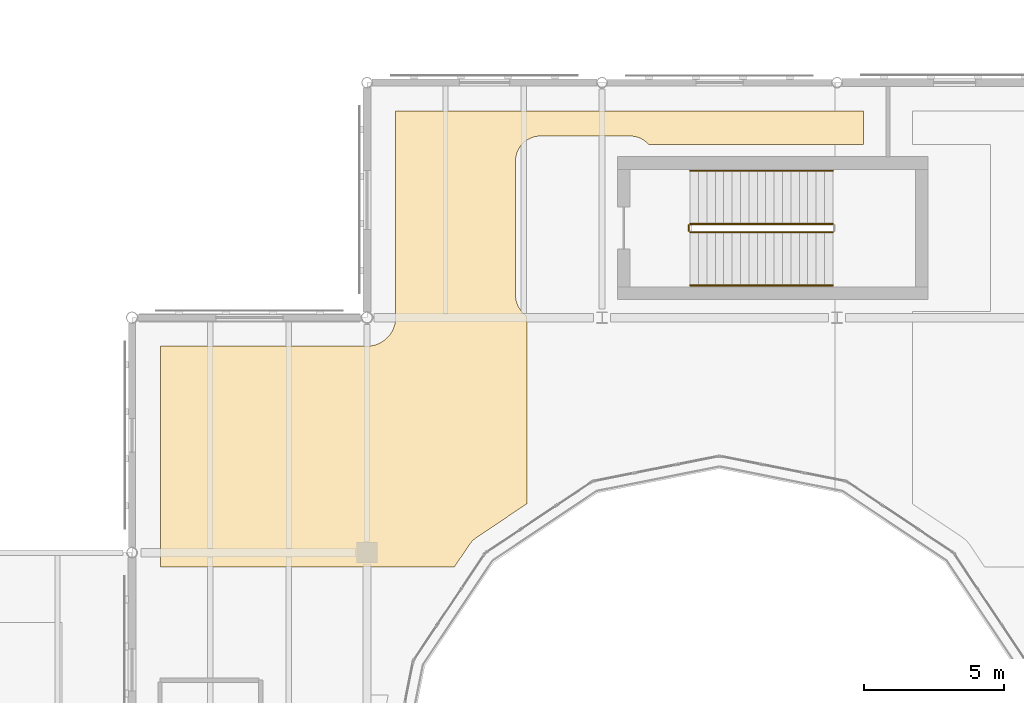
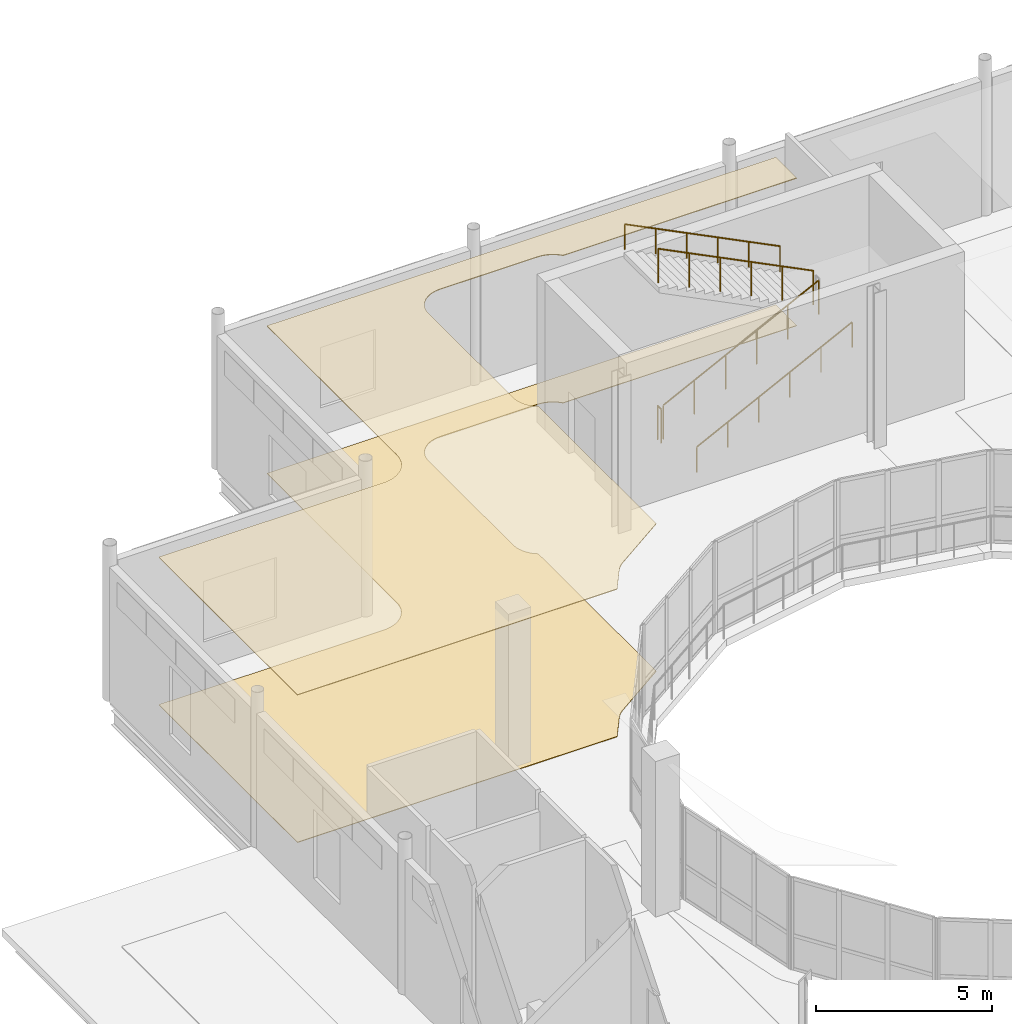
# One storey, part 96 of 110: 5 railings, 2 coverings.
"""IFC4 building model written with IfcOpenShell, lengths in metres."""

from ifc_helpers import new_model, si_unit, direction, frame, origin, origin_2d, place, context, subcontext, project, spatial, polyline, circle, outline, extrude, material, layer, layer_set, type_object, element, save


model = new_model("IFC4")

# Units and contexts
model_context = context("Model", 3, precision=1e-05, world=origin(), true_north=direction((0.0, 1.0)))
body_context = subcontext(model_context, "Body", "Model", "MODEL_VIEW")
ifc_project = project(units=[si_unit("LENGTHUNIT", "METRE"), si_unit("AREAUNIT", "SQUARE_METRE"), si_unit("VOLUMEUNIT", "CUBIC_METRE"), si_unit("PLANEANGLEUNIT", "RADIAN"), si_unit("MASSUNIT", "GRAM", prefix="KILO"), si_unit("THERMODYNAMICTEMPERATUREUNIT", "KELVIN")], contexts=[model_context])

# Site, building, storey
site_placement = place(None, origin())
site = spatial("IfcSite", under=ifc_project, at=site_placement, CompositionType="ELEMENT")
building_placement = place(site_placement, origin())
building = spatial("IfcBuilding", under=site, at=building_placement, Name="Lustrewick Department Store", CompositionType="ELEMENT")
storey_placement = place(building_placement, frame((0.0, 0.0, 6.0)))
storey = spatial("IfcBuildingStorey", under=building, at=storey_placement, Name="L02", CompositionType="ELEMENT", Elevation=6.0)

# Coverings
ifc_material_1 = material(Name="Perforated mineral-fibre acoustic ceiling board", Category="gypsum")
ifc_layer_1 = layer(ifc_material_1, 0.02490234375, Name="Perforated mineral-fibre acoustic ceiling board")
ifc_layer_set_1 = layer_set([ifc_layer_1], Name="Perforated mineral-fibre acoustic ceiling board")
covering_type_1 = type_object("IfcCoveringType", Name="COV-CEIL", PredefinedType="CEILING", material=ifc_layer_set_1)
covering_1_placement = place(storey_placement, frame((0.0, 0.0, 5.1201171875)))
element("IfcCovering", 1, at=covering_1_placement, inside=storey, type_object=covering_type_1, Name="L02 Womenswear Fashion Boutique Acoustic Ceiling", PredefinedType="CEILING", context=body_context, shape_type="SweptSolid", body=[
    extrude(outline(polyline([(9.419921875, 75.090087890625), (19.92578125, 75.090087890625), (20.44140625, 75.86181640625), (20.46484375, 75.89501953125), (20.478515625, 75.9130859375), (20.5322265625, 75.978759765625), (20.548095703125, 75.99609375), (20.603759765625, 76.052001953125), (20.62109375, 76.067626953125), (20.686767578125, 76.12158203125), (20.705078125, 76.135009765625), (20.73828125, 76.158447265625), (22.510009765625, 77.34228515625), (22.510009765625, 84.05712890625), (22.504150390625, 84.060791015625), (22.446044921875, 84.103515625), (22.44140625, 84.107177734375), (22.37060546875, 84.170654296875), (22.30712890625, 84.241455078125), (22.303466796875, 84.24609375), (22.260986328125, 84.30419921875), (22.223388671875, 84.365478515625), (22.22119140625, 84.369384765625), (22.187744140625, 84.436279296875), (22.185302734375, 84.44140625), (22.154541015625, 84.521484375), (22.1318359375, 84.604248046875), (22.131103515625, 84.607421875), (22.12744140625, 84.625), (22.126708984375, 84.62841796875), (22.1142578125, 84.71240234375), (22.110107421875, 84.797119140625), (22.110107421875, 89.60302734375), (22.1142578125, 89.687744140625), (22.126708984375, 89.771484375), (22.12744140625, 89.77490234375), (22.131103515625, 89.79248046875), (22.1318359375, 89.795654296875), (22.154541015625, 89.87841796875), (22.185302734375, 89.95849609375), (22.1865234375, 89.961181640625), (22.187744140625, 89.963623046875), (22.22119140625, 90.030517578125), (22.223388671875, 90.034423828125), (22.260986328125, 90.095947265625), (22.303466796875, 90.154052734375), (22.30712890625, 90.15869140625), (22.37060546875, 90.2294921875), (22.44140625, 90.29296875), (22.446044921875, 90.29638671875), (22.504150390625, 90.339111328125), (22.565673828125, 90.376708984375), (22.569580078125, 90.37890625), (22.63623046875, 90.412109375), (22.6416015625, 90.41455078125), (22.721435546875, 90.445556640625), (22.80419921875, 90.46826171875), (22.8076171875, 90.468994140625), (22.824951171875, 90.47265625), (22.828369140625, 90.473388671875), (22.912353515625, 90.48583984375), (22.9970703125, 90.489990234375), (26.202880859375, 90.489990234375), (26.28759765625, 90.48583984375), (26.37158203125, 90.473388671875), (26.375, 90.47265625), (26.392578125, 90.468994140625), (26.395751953125, 90.46826171875), (26.478515625, 90.445556640625), (26.55859375, 90.41455078125), (26.561279296875, 90.413330078125), (26.563720703125, 90.412109375), (26.630615234375, 90.37890625), (26.634521484375, 90.376708984375), (26.69580078125, 90.339111328125), (26.75390625, 90.29638671875), (26.758544921875, 90.29296875), (26.829345703125, 90.2294921875), (26.86474609375, 90.18994140625), (34.543212890625, 90.18994140625), (34.543212890625, 91.3798828125), (17.820068359375, 91.3798828125), (17.820068359375, 83.9990234375), (17.81884765625, 83.9560546875), (17.818115234375, 83.939453125), (17.810302734375, 83.860107421875), (17.8076171875, 83.8427734375), (17.7919921875, 83.7626953125), (17.78759765625, 83.74560546875), (17.76220703125, 83.662109375), (17.75634765625, 83.6455078125), (17.727294921875, 83.5751953125), (17.7197265625, 83.559326171875), (17.6787109375, 83.482177734375), (17.66943359375, 83.466796875), (17.623046875, 83.397705078125), (17.612548828125, 83.3837890625), (17.56298828125, 83.3232421875), (17.551025390625, 83.31005859375), (17.489990234375, 83.248779296875), (17.476806640625, 83.237060546875), (17.416259765625, 83.1875), (17.402099609375, 83.177001953125), (17.333251953125, 83.130615234375), (17.31787109375, 83.121337890625), (17.24072265625, 83.080322265625), (17.224853515625, 83.07275390625), (17.154541015625, 83.043701171875), (17.1376953125, 83.03759765625), (17.054443359375, 83.012451171875), (17.037353515625, 83.008056640625), (16.957275390625, 82.9921875), (16.93994140625, 82.98974609375), (16.860595703125, 82.98193359375), (16.843994140625, 82.981201171875), (16.801025390625, 82.97998046875), (9.419921875, 82.97998046875), (9.419921875, 75.090087890625)])), origin(), (0.0, 0.0, 1.0), 0.02490234375),
])
ifc_material_2 = material(Name="Polished terrazzo and porcelain floor finish", Category="masonry")
ifc_layer_2 = layer(ifc_material_2, 0.02001953125, Name="Polished terrazzo and porcelain floor finish")
ifc_layer_set_2 = layer_set([ifc_layer_2], Name="Polished terrazzo and porcelain floor finish")
covering_type_2 = type_object("IfcCoveringType", Name="COV-FLR", PredefinedType="FLOORING", material=ifc_layer_set_2)
covering_2_placement = place(storey_placement, origin())
element("IfcCovering", 2, at=covering_2_placement, inside=storey, type_object=covering_type_2, Name="L02 Womenswear Fashion Boutique Terrazzo Flooring", PredefinedType="FLOORING", context=body_context, shape_type="SweptSolid", body=[
    extrude(outline(polyline([(9.419921875, 75.090087890625), (19.92578125, 75.090087890625), (20.44140625, 75.86181640625), (20.46484375, 75.89501953125), (20.478515625, 75.9130859375), (20.5322265625, 75.978759765625), (20.548095703125, 75.99609375), (20.603759765625, 76.052001953125), (20.62109375, 76.067626953125), (20.686767578125, 76.12158203125), (20.705078125, 76.135009765625), (20.73828125, 76.158447265625), (22.510009765625, 77.34228515625), (22.510009765625, 84.05712890625), (22.504150390625, 84.060791015625), (22.446044921875, 84.103515625), (22.44140625, 84.107177734375), (22.37060546875, 84.170654296875), (22.30712890625, 84.241455078125), (22.303466796875, 84.24609375), (22.260986328125, 84.30419921875), (22.223388671875, 84.365478515625), (22.22119140625, 84.369384765625), (22.187744140625, 84.436279296875), (22.185302734375, 84.44140625), (22.154541015625, 84.521484375), (22.1318359375, 84.604248046875), (22.131103515625, 84.607421875), (22.12744140625, 84.625), (22.126708984375, 84.62841796875), (22.1142578125, 84.71240234375), (22.110107421875, 84.797119140625), (22.110107421875, 89.60302734375), (22.1142578125, 89.687744140625), (22.126708984375, 89.771484375), (22.12744140625, 89.77490234375), (22.131103515625, 89.79248046875), (22.1318359375, 89.795654296875), (22.154541015625, 89.87841796875), (22.185302734375, 89.95849609375), (22.1865234375, 89.961181640625), (22.187744140625, 89.963623046875), (22.22119140625, 90.030517578125), (22.223388671875, 90.034423828125), (22.260986328125, 90.095947265625), (22.303466796875, 90.154052734375), (22.30712890625, 90.15869140625), (22.37060546875, 90.2294921875), (22.44140625, 90.29296875), (22.446044921875, 90.29638671875), (22.504150390625, 90.339111328125), (22.565673828125, 90.376708984375), (22.569580078125, 90.37890625), (22.63623046875, 90.412109375), (22.6416015625, 90.41455078125), (22.721435546875, 90.445556640625), (22.80419921875, 90.46826171875), (22.8076171875, 90.468994140625), (22.824951171875, 90.47265625), (22.828369140625, 90.473388671875), (22.912353515625, 90.48583984375), (22.9970703125, 90.489990234375), (26.202880859375, 90.489990234375), (26.28759765625, 90.48583984375), (26.37158203125, 90.473388671875), (26.375, 90.47265625), (26.392578125, 90.468994140625), (26.395751953125, 90.46826171875), (26.478515625, 90.445556640625), (26.55859375, 90.41455078125), (26.561279296875, 90.413330078125), (26.563720703125, 90.412109375), (26.630615234375, 90.37890625), (26.634521484375, 90.376708984375), (26.69580078125, 90.339111328125), (26.75390625, 90.29638671875), (26.758544921875, 90.29296875), (26.829345703125, 90.2294921875), (26.86474609375, 90.18994140625), (34.543212890625, 90.18994140625), (34.543212890625, 91.3798828125), (17.820068359375, 91.3798828125), (17.820068359375, 83.9990234375), (17.81884765625, 83.9560546875), (17.818115234375, 83.939453125), (17.810302734375, 83.860107421875), (17.8076171875, 83.8427734375), (17.7919921875, 83.7626953125), (17.78759765625, 83.74560546875), (17.76220703125, 83.662109375), (17.75634765625, 83.6455078125), (17.727294921875, 83.5751953125), (17.7197265625, 83.559326171875), (17.6787109375, 83.482177734375), (17.66943359375, 83.466796875), (17.623046875, 83.397705078125), (17.612548828125, 83.3837890625), (17.56298828125, 83.3232421875), (17.551025390625, 83.31005859375), (17.489990234375, 83.248779296875), (17.476806640625, 83.237060546875), (17.416259765625, 83.1875), (17.402099609375, 83.177001953125), (17.333251953125, 83.130615234375), (17.31787109375, 83.121337890625), (17.24072265625, 83.080322265625), (17.224853515625, 83.07275390625), (17.154541015625, 83.043701171875), (17.1376953125, 83.03759765625), (17.054443359375, 83.012451171875), (17.037353515625, 83.008056640625), (16.957275390625, 82.9921875), (16.93994140625, 82.98974609375), (16.860595703125, 82.98193359375), (16.843994140625, 82.981201171875), (16.801025390625, 82.97998046875), (9.419921875, 82.97998046875), (9.419921875, 75.090087890625)])), origin(), (0.0, 0.0, 1.0), 0.02001953125),
])

# Railings
ifc_material_3 = material(Name="Painted tubular steel stairwell guardrail", Category="steel")
railing_type_1 = type_object("IfcRailingType", Name="RL-STG", PredefinedType="GUARDRAIL", material=ifc_material_3)
railing_1_placement = place(storey_placement, frame((28.35009765625, 87.050048828125, 0.14990234375)))
element("IfcRailing", 3, at=railing_1_placement, inside=storey, type_object=railing_type_1, Name="L02 ST03 Stair Guard 1", PredefinedType="GUARDRAIL", context=body_context, shape_type="SweptSolid", body=[
    extrude(circle(Radius=0.02392578125, at=origin_2d()), frame((0.0, 0.0, 1.17578125), z_axis=(0.894418627299, 0.0, 0.447230722492), x_axis=(0.0, 1.0, 0.0)), (0.0, 0.0, 1.0), 5.701904296875),
    extrude(circle(Radius=0.02099609375, at=origin_2d()), origin(), (0.0, 0.0, 1.0), 1.15185546875),
    extrude(circle(Radius=0.02099609375, at=origin_2d()), frame((1.02001953125, 0.0, 0.510009765625)), (0.0, 0.0, 1.0), 1.15185546875),
    extrude(circle(Radius=0.02099609375, at=origin_2d()), frame((2.0400390625, 0.0, 1.02001953125)), (0.0, 0.0, 1.0), 1.15185546875),
    extrude(circle(Radius=0.02099609375, at=origin_2d()), frame((3.059814453125, 0.0, 1.530029296875)), (0.0, 0.0, 1.0), 1.15185546875),
    extrude(circle(Radius=0.02099609375, at=origin_2d()), frame((4.079833984375, 0.0, 2.0400390625)), (0.0, 0.0, 1.0), 1.15185546875),
    extrude(circle(Radius=0.02099609375, at=origin_2d()), frame((5.099853515625, 0.0, 2.550048828125)), (0.0, 0.0, 1.0), 1.15185546875),
])
railing_2_placement = place(storey_placement, frame((33.449951171875, 87.35009765625, 2.85009765625)))
element("IfcRailing", 4, at=railing_2_placement, inside=storey, type_object=railing_type_1, Name="L02 ST03 Stair Guard 3", PredefinedType="GUARDRAIL", context=body_context, shape_type="SweptSolid", body=[
    extrude(circle(Radius=0.02392578125, at=origin_2d()), frame((0.0, 0.0, 1.17578125), z_axis=(-0.894435754537, 0.0, 0.447196468016), x_axis=(0.0, -1.0, 0.0)), (0.0, 0.0, 1.0), 5.70166015625),
    extrude(circle(Radius=0.02099609375, at=origin_2d()), origin(), (0.0, 0.0, 1.0), 1.15185546875),
    extrude(circle(Radius=0.02099609375, at=origin_2d()), frame((-1.02001953125, 0.0, 0.510009765625)), (0.0, 0.0, 1.0), 1.15185546875),
    extrude(circle(Radius=0.02099609375, at=origin_2d()), frame((-2.0400390625, 0.0, 1.02001953125)), (0.0, 0.0, 1.0), 1.15185546875),
    extrude(circle(Radius=0.02099609375, at=origin_2d()), frame((-3.059814453125, 0.0, 1.52978515625)), (0.0, 0.0, 1.0), 1.15185546875),
    extrude(circle(Radius=0.02099609375, at=origin_2d()), frame((-4.079833984375, 0.0, 2.039794921875)), (0.0, 0.0, 1.0), 1.15185546875),
    extrude(circle(Radius=0.02099609375, at=origin_2d()), frame((-5.099853515625, 0.0, 2.5498046875)), (0.0, 0.0, 1.0), 1.15185546875),
])
railing_3_placement = place(storey_placement, frame((28.300048828125, 87.10009765625, 0.0)))
element("IfcRailing", 5, at=railing_3_placement, inside=storey, type_object=railing_type_1, Name="L02 ST03 Stair Guard 4", PredefinedType="GUARDRAIL", context=body_context, shape_type="SweptSolid", body=[
    extrude(circle(Radius=0.02392578125, at=origin_2d()), frame((0.0, 0.0, 1.17578125), z_axis=(0.0, 1.0, 0.0), x_axis=(-1.0, 0.0, 0.0)), (0.0, 0.0, 1.0), 0.199951171875),
    extrude(circle(Radius=0.02099609375, at=origin_2d()), origin(), (0.0, 0.0, 1.0), 1.15185546875),
    extrude(circle(Radius=0.02099609375, at=origin_2d()), frame((0.0, 0.199951171875, 0.0)), (0.0, 0.0, 1.0), 1.15185546875),
])
ifc_material_4 = material(Name="Brushed stainless steel wall handrail", Category="steel")
railing_type_2 = type_object("IfcRailingType", Name="RL-STH", PredefinedType="HANDRAIL", material=ifc_material_4)
railing_4_placement = place(storey_placement, frame((28.35009765625, 85.14990234375, 0.14990234375)))
element("IfcRailing", 6, at=railing_4_placement, inside=storey, type_object=railing_type_2, Name="L02 ST03 Stair Handrail 1", PredefinedType="HANDRAIL", context=body_context, shape_type="SweptSolid", body=[
    extrude(circle(Radius=0.02392578125, at=origin_2d()), frame((0.0, 0.0, 0.8759765625), z_axis=(0.894418627299, 0.0, 0.447230722492), x_axis=(0.0, 1.0, 0.0)), (0.0, 0.0, 1.0), 5.701904296875),
    extrude(circle(Radius=0.02099609375, at=origin_2d()), origin(), (0.0, 0.0, 1.0), 0.851806640625),
    extrude(circle(Radius=0.02099609375, at=origin_2d()), frame((1.02001953125, 0.0, 0.510009765625)), (0.0, 0.0, 1.0), 0.851806640625),
    extrude(circle(Radius=0.02099609375, at=origin_2d()), frame((2.0400390625, 0.0, 1.02001953125)), (0.0, 0.0, 1.0), 0.851806640625),
    extrude(circle(Radius=0.02099609375, at=origin_2d()), frame((3.059814453125, 0.0, 1.530029296875)), (0.0, 0.0, 1.0), 0.851806640625),
    extrude(circle(Radius=0.02099609375, at=origin_2d()), frame((4.079833984375, 0.0, 2.0400390625)), (0.0, 0.0, 1.0), 0.851806640625),
    extrude(circle(Radius=0.02099609375, at=origin_2d()), frame((5.099853515625, 0.0, 2.550048828125)), (0.0, 0.0, 1.0), 0.851806640625),
])
railing_5_placement = place(storey_placement, frame((33.449951171875, 89.25, 2.85009765625)))
element("IfcRailing", 7, at=railing_5_placement, inside=storey, type_object=railing_type_2, Name="L02 ST03 Stair Handrail 2", PredefinedType="HANDRAIL", context=body_context, shape_type="SweptSolid", body=[
    extrude(circle(Radius=0.02392578125, at=origin_2d()), frame((0.0, 0.0, 0.8759765625), z_axis=(-0.894435754537, 0.0, 0.447196468016), x_axis=(0.0, -1.0, 0.0)), (0.0, 0.0, 1.0), 5.70166015625),
    extrude(circle(Radius=0.02099609375, at=origin_2d()), origin(), (0.0, 0.0, 1.0), 0.851806640625),
    extrude(circle(Radius=0.02099609375, at=origin_2d()), frame((-1.02001953125, 0.0, 0.510009765625)), (0.0, 0.0, 1.0), 0.851806640625),
    extrude(circle(Radius=0.02099609375, at=origin_2d()), frame((-2.0400390625, 0.0, 1.02001953125)), (0.0, 0.0, 1.0), 0.851806640625),
    extrude(circle(Radius=0.02099609375, at=origin_2d()), frame((-3.059814453125, 0.0, 1.52978515625)), (0.0, 0.0, 1.0), 0.851806640625),
    extrude(circle(Radius=0.02099609375, at=origin_2d()), frame((-4.079833984375, 0.0, 2.039794921875)), (0.0, 0.0, 1.0), 0.851806640625),
    extrude(circle(Radius=0.02099609375, at=origin_2d()), frame((-5.099853515625, 0.0, 2.5498046875)), (0.0, 0.0, 1.0), 0.851806640625),
])

save(model, "model.ifc")
